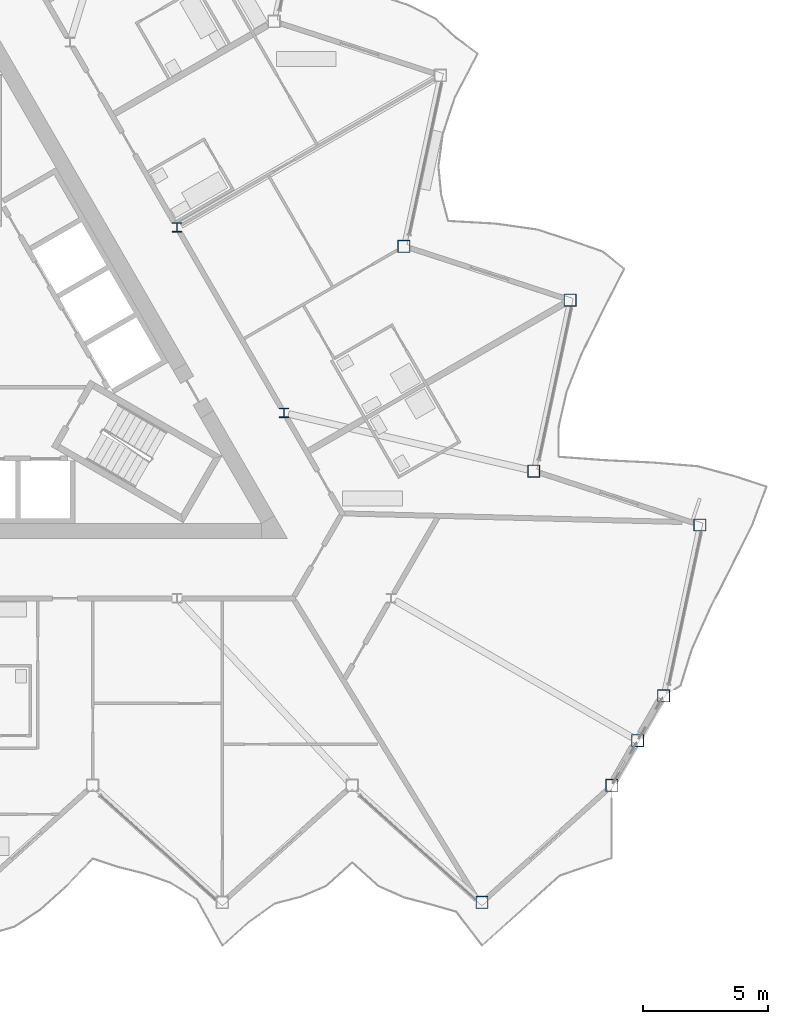
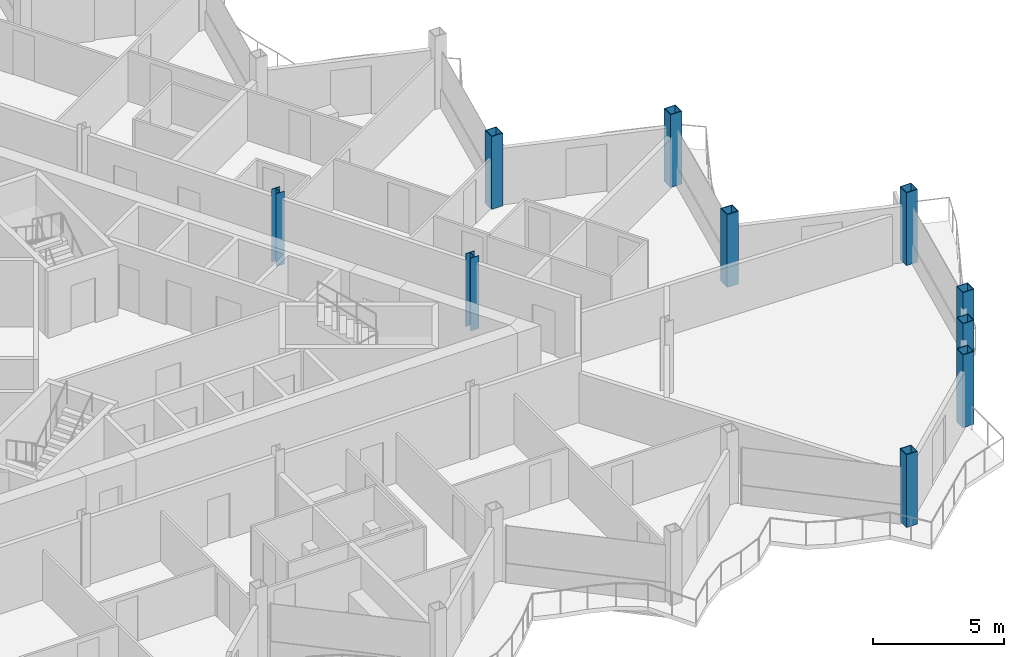
# One storey, part 2 of 26: 10 columns.
"""IFC4 building model written with IfcOpenShell, lengths in metres."""

from ifc_helpers import new_model, si_unit, direction, frame, origin, origin_2d, place, context, subcontext, project, spatial, hollow_rectangle, i_section, extrude, material, material_profile, profile_set, type_object, element, save


model = new_model("IFC4")

# Units and contexts
model_context = context("Model", 3, precision=1e-05, world=origin(), true_north=direction((0.0, 1.0)))
body_context = subcontext(model_context, "Body", "Model", "MODEL_VIEW")
ifc_project = project(units=[si_unit("LENGTHUNIT", "METRE"), si_unit("AREAUNIT", "SQUARE_METRE"), si_unit("VOLUMEUNIT", "CUBIC_METRE"), si_unit("PLANEANGLEUNIT", "RADIAN"), si_unit("MASSUNIT", "GRAM", prefix="KILO")], contexts=[model_context])

# Site, building, storey
site_placement = place(None, origin())
site = spatial("IfcSite", under=ifc_project, at=site_placement, CompositionType="ELEMENT")
building_placement = place(site_placement, origin())
building = spatial("IfcBuilding", under=site, at=building_placement, Name="Cormorant Prow Tower", CompositionType="ELEMENT")
storey_placement = place(building_placement, frame((0.0, 0.0, 401.800048828125)))
storey = spatial("IfcBuildingStorey", under=building, at=storey_placement, Name="L92", CompositionType="ELEMENT", Elevation=401.800048828125)

# Columns
ifc_material_1 = material(Name="Structural steel ASTM A572 Gr 50", Category="steel")
ifc_material_profile_1 = material_profile(ifc_material_1, hollow_rectangle(XDim=0.5, YDim=0.5, WallThickness=0.030029296875, at=origin_2d()), Name="Box 500x500x30")
ifc_profile_set_1 = profile_set([ifc_material_profile_1], Name="Structural steel ASTM A572 Gr 50")
column_type_1 = type_object("IfcColumnType", Name="Perimeter box column 500x500x30", PredefinedType="COLUMN", material=ifc_profile_set_1)
for number, where, z_axis, x_axis, name in (
    (1, (20.800048828125, -22.087890625, 0.0), (0.0, 0.0, 1.0), (1.0, 0.0, 0.0), "Perimeter column C7 at S09 L92"),
    (2, (26.0, -17.40576171875, 0.0), (0.0, 0.0, 1.0), (1.0, 0.0, 0.0), "Perimeter column C7 at ESE00 L92"),
    (3, (27.036865234375, -15.60986328125, 0.0), (0.0, 0.0, 1.0), (1.0, 0.0, 0.0), "Perimeter column C7 at ESE01 L92"),
    (4, (28.07373046875, -13.813720703125, 0.0), (0.0, 0.0, 1.0), (1.0, 0.0, 0.0), "Perimeter column C7 at ENE00 L92"),
    (5, (29.528564453125, -6.969482421875, 0.0), (0.0, 0.0, 1.0), (1.0, 0.0, 0.0), "Perimeter column C7 at ENE01 L92"),
    (6, (22.873779296875, -4.80712890625, 0.0), (0.0, 0.0, 1.0), (1.0, 0.0, 0.0), "Perimeter column C7 at ENE02 L92"),
    (7, (24.32861328125, 2.037353515625, 0.0), (0.0, 0.0, 1.0), (1.0, 0.0, 0.0), "Perimeter column C7 at ENE03 L92"),
    (8, (17.673828125, 4.199462890625, 0.0), (0.0, 0.0, 1.0), (1.0, 0.0, 0.0), "Perimeter column C7 at ENE04 L92"),
):
    element("IfcColumn", number, at=place(storey_placement, frame(where, z_axis=z_axis, x_axis=x_axis)), inside=storey, type_object=column_type_1, Name=name, PredefinedType="COLUMN", context=body_context, shape_type="SweptSolid", body=[
        extrude(hollow_rectangle(XDim=0.5, YDim=0.5, WallThickness=0.030029296875, at=origin_2d()), origin(), (0.0, 0.0, 1.0), 3.39990234375),
    ])
ifc_material_2 = material(Name="Structural steel ASTM A992 Gr 50", Category="steel")
ifc_material_profile_2 = material_profile(ifc_material_2, i_section(OverallWidth=0.3740234375, OverallDepth=0.372314453125, WebThickness=0.016357421875, FlangeThickness=0.026123046875, at=origin_2d()), Name="W14x132")
ifc_profile_set_2 = profile_set([ifc_material_profile_2], Name="Structural steel ASTM A992 Gr 50")
column_type_2 = type_object("IfcColumnType", Name="Ring column W14x132", PredefinedType="COLUMN", material=ifc_profile_set_2)
for number, where, z_axis, x_axis, name in (
    (9, (12.86767578125, -2.476318359375, 0.0), (0.0, 0.0, 1.0), (1.0, 0.0, 0.0), "Ring column 10 L92"),
    (10, (8.578369140625, 4.952880859375, 0.0), (0.0, 0.0, 1.0), (1.0, 0.0, 0.0), "Ring column 11 L92"),
):
    element("IfcColumn", number, at=place(storey_placement, frame(where, z_axis=z_axis, x_axis=x_axis)), inside=storey, type_object=column_type_2, Name=name, PredefinedType="COLUMN", context=body_context, shape_type="SweptSolid", body=[
        extrude(i_section(OverallWidth=0.3740234375, OverallDepth=0.372314453125, WebThickness=0.016357421875, FlangeThickness=0.026123046875, at=origin_2d()), origin(), (0.0, 0.0, 1.0), 3.39990234375),
    ])

save(model, "model.ifc")
